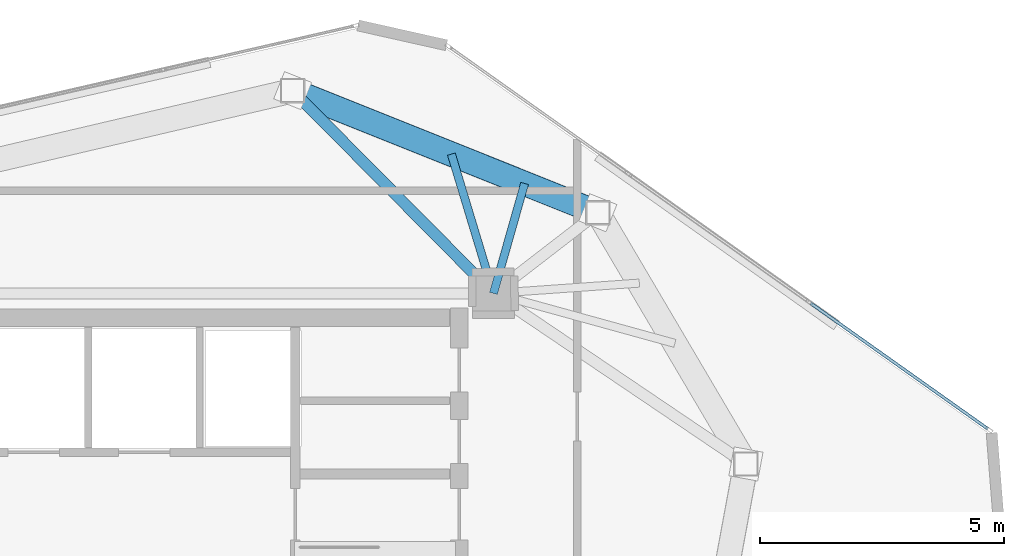
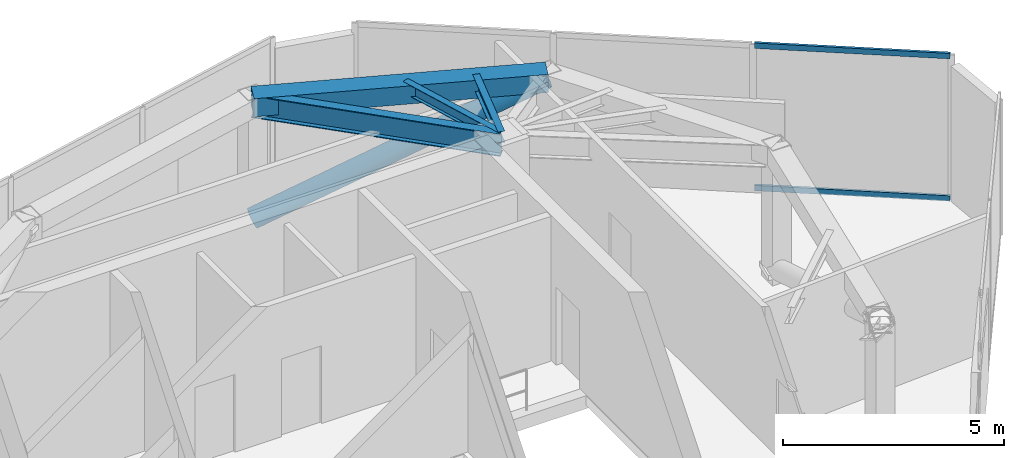
# One storey, part 14 of 20: 4 beams, 3 members, 1 element without a shape of its own.
"""IFC4 building model written with IfcOpenShell, lengths in metres."""

import ifcopenshell
import ifcopenshell.guid

model = None  # the IFC model being written
_history = None  # IfcOwnerHistory: only IFC2X3 demands one
_inside = {}  # id of a spatial element -> (the spatial element, [elements in it])
_under = {}  # id of a project, library or spatial element -> (it, [spatial elements below it])
_declared = {}  # id of a project -> (the project, [libraries it declares])
_typed = {}  # id of a type object -> (the type object, [elements of that type])
_made_of = {}  # id of a material, layer set ... -> (it, [elements and type objects made of it])


def new_model(schema):
    """Start an empty IFC model of exactly this schema.

    Asked for "IFC4X3", IfcOpenShell would pick the latest addendum, in which some entities
    have other attributes; the version numbers below select the first issue.
    IFC2X3 requires an IfcOwnerHistory on every rooted entity: one is made here for all.
    """
    global model, _history
    if schema == "IFC4X3":
        model = ifcopenshell.file(schema_version=(4, 3, 0, 0))
    else:
        model = ifcopenshell.file(schema=schema)
    _inside.clear()
    _under.clear()
    _declared.clear()
    _typed.clear()
    _made_of.clear()
    _history = None
    if model.schema == "IFC2X3":
        org = make("IfcOrganization", Name="unknown")
        user = make(
            "IfcPersonAndOrganization",
            ThePerson=make("IfcPerson", FamilyName="unknown"),
            TheOrganization=org,
        )
        app = make(
            "IfcApplication",
            ApplicationDeveloper=org,
            Version="unknown",
            ApplicationFullName="unknown",
            ApplicationIdentifier="unknown",
        )
        _history = make(
            "IfcOwnerHistory",
            OwningUser=user,
            OwningApplication=app,
            ChangeAction="ADDED",
            CreationDate=0,
        )
    return model


def make(cls, **values):
    """One entity of the class cls with the attributes given. An attribute that is None is left unset."""
    return model.create_entity(
        cls, **{name: value for name, value in values.items() if value is not None}
    )


def rooted(cls, **values):
    """An entity with a GlobalId (a new one), such as an element, a storey or a relation."""
    return make(cls, GlobalId=ifcopenshell.guid.new(), OwnerHistory=_history, **values)


def si_unit(unit_type, name, prefix=None):
    """IfcSIUnit, for example si_unit("LENGTHUNIT", "METRE", prefix="MILLI")."""
    return make("IfcSIUnit", UnitType=unit_type, Prefix=prefix, Name=name)


def assignment(units):
    """IfcUnitAssignment: the units of a project."""
    return None if units is None else make("IfcUnitAssignment", Units=units)


def point(xyz):
    """IfcCartesianPoint."""
    return None if xyz is None else make("IfcCartesianPoint", Coordinates=xyz)


def direction(xyz):
    """IfcDirection."""
    return None if xyz is None else make("IfcDirection", DirectionRatios=xyz)


def frame(location, z_axis=None, x_axis=None):
    """IfcAxis2Placement3D, a coordinate frame: its origin and axes. An axis left out is left unset."""
    return make(
        "IfcAxis2Placement3D",
        Location=point(location),
        Axis=direction(z_axis),
        RefDirection=direction(x_axis),
    )


def frame_2d(location, x_axis=None):
    """IfcAxis2Placement2D, a coordinate frame in the plane: its origin and x axis."""
    return make(
        "IfcAxis2Placement2D", Location=point(location), RefDirection=direction(x_axis)
    )


def origin():
    """The frame at (0, 0, 0) with its axes left unset."""
    return frame((0.0, 0.0, 0.0))


def origin_2d():
    """The frame at (0, 0) in the plane with its x axis left unset."""
    return frame_2d((0.0, 0.0))


def place(relative_to, where):
    """IfcLocalPlacement: puts the frame where relative to a parent placement (None: the world)."""
    return make(
        "IfcLocalPlacement", PlacementRelTo=relative_to, RelativePlacement=where
    )


def context(
    kind, dimensions, precision=None, world=None, true_north=None, identifier=None
):
    """IfcGeometricRepresentationContext, for example the 3D "Model" context."""
    return make(
        "IfcGeometricRepresentationContext",
        ContextIdentifier=identifier,
        ContextType=kind,
        CoordinateSpaceDimension=dimensions,
        Precision=precision,
        WorldCoordinateSystem=world,
        TrueNorth=true_north,
    )


def subcontext(parent, identifier, kind, view, scale=None):
    """IfcGeometricRepresentationSubContext, for example "Body" below "Model"."""
    return make(
        "IfcGeometricRepresentationSubContext",
        ContextIdentifier=identifier,
        ContextType=kind,
        ParentContext=parent,
        TargetScale=scale,
        TargetView=view,
    )


def project(units=None, contexts=None):
    """IfcProject with its units and contexts."""
    return rooted(
        "IfcProject",
        Name="project",
        RepresentationContexts=contexts,
        UnitsInContext=assignment(units),
    )


def spatial(cls, under=None, at=None, **own):
    """A site, building, storey or space (cls), placed at a placement, below another one or the project."""
    s = rooted(cls, ObjectPlacement=at, **own)
    if under is not None:
        _under.setdefault(under.id(), (under, []))[1].append(s)
    return s


def profile(cls, at=None, kind="AREA", **sizes):
    """A parametric profile (cls). Its sizes go by their IFC names, for example OverallWidth=200.0."""
    return make(cls, ProfileType=kind, Position=at, **sizes)


def hollow_rectangle(**sizes):
    """IfcRectangleHollowProfileDef."""
    return profile("IfcRectangleHollowProfileDef", **sizes)


def hollow_circle(**sizes):
    """IfcCircleHollowProfileDef."""
    return profile("IfcCircleHollowProfileDef", **sizes)


def i_section(**sizes):
    """IfcIShapeProfileDef."""
    return profile("IfcIShapeProfileDef", **sizes)


def extrude(swept, where, along, depth):
    """IfcExtrudedAreaSolid: the profile swept, set in the frame where, extruded along a direction by depth."""
    return make(
        "IfcExtrudedAreaSolid",
        SweptArea=swept,
        Position=where,
        ExtrudedDirection=direction(along),
        Depth=depth,
    )


def shape(context_of_items, identifier, shape_type, items):
    """IfcShapeRepresentation: the items that make up one representation, for example the "Body"."""
    return make(
        "IfcShapeRepresentation",
        ContextOfItems=context_of_items,
        RepresentationIdentifier=identifier,
        RepresentationType=shape_type,
        Items=items,
    )


def source(mapping_origin, context_of_items, identifier, shape_type, items):
    """IfcRepresentationMap: a shape defined once, which mapped items show again and again."""
    return make(
        "IfcRepresentationMap",
        MappingOrigin=mapping_origin,
        MappedRepresentation=shape(context_of_items, identifier, shape_type, items),
    )


def transform(
    local_origin,
    x_axis=None,
    y_axis=None,
    z_axis=None,
    scale=None,
    scale2=None,
    scale3=None,
    uniform=True,
):
    """IfcCartesianTransformationOperator3D, or its non-uniform kind. x_axis, y_axis, z_axis: its Axis1, 2, 3."""
    if uniform:
        return make(
            "IfcCartesianTransformationOperator3D",
            Axis1=direction(x_axis),
            Axis2=direction(y_axis),
            LocalOrigin=point(local_origin),
            Scale=scale,
            Axis3=direction(z_axis),
        )
    return make(
        "IfcCartesianTransformationOperator3DnonUniform",
        Axis1=direction(x_axis),
        Axis2=direction(y_axis),
        LocalOrigin=point(local_origin),
        Scale=scale,
        Axis3=direction(z_axis),
        Scale2=scale2,
        Scale3=scale3,
    )


def mapped(mapping_source, mapping_target):
    """IfcMappedItem: shows the shape of a source again, moved by a transform."""
    return make(
        "IfcMappedItem", MappingSource=mapping_source, MappingTarget=mapping_target
    )


def material(Name=None, Category=None):
    """IfcMaterial."""
    return make("IfcMaterial", Name=Name, Category=Category)


def layer(
    of_material, thickness, ventilated=None, Name=None, Category=None, Priority=None
):
    """IfcMaterialLayer: one layer of a wall or slab, of a material (None: an air gap)."""
    return make(
        "IfcMaterialLayer",
        Material=of_material,
        LayerThickness=thickness,
        IsVentilated=ventilated,
        Name=Name,
        Category=Category,
        Priority=Priority,
    )


def layer_set(layers, Name=None):
    """IfcMaterialLayerSet."""
    return make("IfcMaterialLayerSet", MaterialLayers=layers, LayerSetName=Name)


def material_profile(
    of_material, cross_section, Name=None, Category=None, Priority=None
):
    """IfcMaterialProfile: a cross section and its material."""
    return make(
        "IfcMaterialProfile",
        Name=Name,
        Material=of_material,
        Profile=cross_section,
        Priority=Priority,
        Category=Category,
    )


def profile_set(profiles, Name=None, composite=None):
    """IfcMaterialProfileSet."""
    return make(
        "IfcMaterialProfileSet",
        Name=Name,
        MaterialProfiles=profiles,
        CompositeProfile=composite,
    )


def made_of(thing, what):
    """Note that an element or type object is made of a material, layer set ...; save() writes the relation."""
    if what is not None:
        _made_of.setdefault(what.id(), (what, []))[1].append(thing)
    return thing


def type_object(cls, material=None, **own):
    """A type object (cls), such as IfcWallType, which elements share."""
    return made_of(rooted(cls, **own), material)


def type_shapes(of_type, sources):
    """Give a type object the sources (RepresentationMaps) that its elements show as mapped items."""
    of_type.RepresentationMaps = sources


def element(
    cls,
    number,
    at=None,
    inside=None,
    cuts=None,
    type_object=None,
    material=None,
    context=None,
    identifier="Body",
    shape_type=None,
    held_by="IfcProductDefinitionShape",
    body=None,
    shapes=None,
    **own,
):
    """One element of the class cls, such as IfcWall. Its Tag is "e" and its number.

    at: its placement. inside: the storey or other place that contains it. cuts: it is an
    opening in that element (IfcRelVoidsElement). A single representation is given by context,
    identifier, shape_type and body (its items); several are given by shapes. held_by: the class
    of the entity that holds the representations. save() writes the other relations.
    """
    e = rooted(cls, Tag="e%d" % number, ObjectPlacement=at, **own)
    if body is not None:
        shapes = [shape(context, identifier, shape_type, body)]
    if shapes is not None:
        e.Representation = make(held_by, Representations=shapes)
    if inside is not None:
        _inside.setdefault(inside.id(), (inside, []))[1].append(e)
    if cuts is not None:
        rooted(
            "IfcRelVoidsElement", RelatingBuildingElement=cuts, RelatedOpeningElement=e
        )
    if type_object is not None:
        _typed.setdefault(type_object.id(), (type_object, []))[1].append(e)
    return made_of(e, material)


def aggregate(whole, parts):
    """IfcRelAggregates: a whole, such as a stair, and the parts it consists of."""
    return rooted("IfcRelAggregates", RelatingObject=whole, RelatedObjects=parts)


def save(model, path):
    """Write the relations noted so far, then the file.

    IfcRelAggregates (storeys below a building ...), IfcRelContainedInSpatialStructure (elements
    in a storey), IfcRelDefinesByType, IfcRelAssociatesMaterial and IfcRelDeclares: one each for
    every whole, place, type object, material and project.
    """
    for whole, parts in _under.values():
        aggregate(whole, parts)
    for where, things in _inside.values():
        rooted(
            "IfcRelContainedInSpatialStructure",
            RelatedElements=things,
            RelatingStructure=where,
        )
    for kind, things in _typed.values():
        rooted("IfcRelDefinesByType", RelatedObjects=things, RelatingType=kind)
    for what, things in _made_of.values():
        rooted("IfcRelAssociatesMaterial", RelatedObjects=things, RelatingMaterial=what)
    for by, libraries in _declared.values():
        rooted("IfcRelDeclares", RelatingContext=by, RelatedDefinitions=libraries)
    model.write(path)


model = new_model("IFC4")

# Units and contexts
model_context = context("Model", 3, precision=1e-05, world=origin(), true_north=direction((0.0, 1.0)))
body_context = subcontext(model_context, "Body", "Model", "MODEL_VIEW")
ifc_project = project(units=[si_unit("LENGTHUNIT", "METRE"), si_unit("AREAUNIT", "SQUARE_METRE"), si_unit("VOLUMEUNIT", "CUBIC_METRE"), si_unit("PLANEANGLEUNIT", "RADIAN"), si_unit("MASSUNIT", "GRAM", prefix="KILO")], contexts=[model_context])

# Site, building, storey
site_placement = place(None, origin())
site = spatial("IfcSite", under=ifc_project, at=site_placement, CompositionType="ELEMENT")
building_placement = place(site_placement, origin())
building = spatial("IfcBuilding", under=site, at=building_placement, Name="Talar Marvaseh", CompositionType="ELEMENT")
storey_placement = place(building_placement, frame((0.0, 0.0, 312.0)))
storey = spatial("IfcBuildingStorey", under=building, at=storey_placement, Name="L83", CompositionType="ELEMENT", Elevation=312.0)

# Beams
ifc_material_1 = material(Name="Steel S460", Category="steel")
ifc_material_profile_1 = material_profile(ifc_material_1, hollow_rectangle(XDim=0.5, YDim=0.5, WallThickness=0.02490234375, at=origin_2d()), Name="BOX500x500x25")
ifc_profile_set_1 = profile_set([ifc_material_profile_1], Name="Steel S460")
beam_type_1 = type_object("IfcBeamType", Name="Crown Frame Top Ring Beam BOX500x500x25", PredefinedType="BEAM", material=ifc_profile_set_1)
beam_1_placement = place(storey_placement, frame((29.18798828125, 41.052001953125, 3.47509765625), z_axis=(0.928426659475, -0.371515730456, 0.0), x_axis=(0.371515730456, 0.928426659475, 0.0)))
element("IfcBeam", 1, at=beam_1_placement, inside=storey, type_object=beam_type_1, Name="L83 Crown Frame Top Ring Beam BOX500x500x25", PredefinedType="BEAM", context=body_context, shape_type="SweptSolid", body=[
    extrude(hollow_rectangle(XDim=0.5, YDim=0.5, WallThickness=0.02490234375, at=origin_2d()), origin(), (0.0, 0.0, 1.0), 6.73193359375),
])
ifc_material_2 = material(Name="Steel S355", Category="steel")
ifc_material_profile_2 = material_profile(ifc_material_2, i_section(OverallWidth=0.166015625, OverallDepth=0.31298828125, WebThickness=0.006591796875, FlangeThickness=0.01123046875, at=origin_2d()), Name="W310x45")
ifc_profile_set_2 = profile_set([ifc_material_profile_2], Name="Steel S355")
beam_type_2 = type_object("IfcBeamType", Name="Zone 3 Secondary Floor Joist W310x45", PredefinedType="JOIST", material=ifc_profile_set_2)
beam_2_placement = place(storey_placement, frame((32.43798828125, 39.75146484375, 3.568603515625), z_axis=(0.289377277289, -0.957215122837, 0.0), x_axis=(0.957215122837, 0.289377277289, 0.0)))
element("IfcBeam", 2, at=beam_2_placement, inside=storey, type_object=beam_type_2, Name="L83 Zone 3 Secondary Floor Joist W310x45", PredefinedType="JOIST", context=body_context, shape_type="SweptSolid", body=[
    extrude(i_section(OverallWidth=0.166015625, OverallDepth=0.31298828125, WebThickness=0.006591796875, FlangeThickness=0.01123046875, at=origin_2d()), origin(), (0.0, 0.0, 1.0), 2.97900390625),
])
beam_3_placement = place(storey_placement, frame((33.93798828125, 39.151123046875, 3.568603515625), z_axis=(-0.272639596879, -0.962116235293, 0.0), x_axis=(0.962116235293, -0.272639596879, 0.0)))
element("IfcBeam", 3, at=beam_3_placement, inside=storey, type_object=beam_type_2, Name="L83 Zone 3 Secondary Floor Joist W310x45", PredefinedType="JOIST", context=body_context, shape_type="SweptSolid", body=[
    extrude(i_section(OverallWidth=0.166015625, OverallDepth=0.31298828125, WebThickness=0.006591796875, FlangeThickness=0.01123046875, at=origin_2d()), origin(), (0.0, 0.0, 1.0), 2.33984375),
])
ifc_material_profile_3 = material_profile(ifc_material_2, i_section(OverallWidth=0.22998046875, OverallDepth=0.616943359375, WebThickness=0.01318359375, FlangeThickness=0.022216796875, at=origin_2d()), Name="W610x140")
ifc_profile_set_3 = profile_set([ifc_material_profile_3], Name="Steel S355")
beam_type_3 = type_object("IfcBeamType", Name="Zone 4 Radial Floor Girder W610x140", PredefinedType="BEAM", material=ifc_profile_set_3)
beam_4_placement = place(storey_placement, frame((29.18798828125, 41.052001953125, 3.41650390625), z_axis=(0.703672658083, -0.710524306598, 0.0), x_axis=(0.710524306598, 0.703672658083, 0.0)))
element("IfcBeam", 4, at=beam_4_placement, inside=storey, type_object=beam_type_3, Name="L83 Zone 4 Radial Floor Girder W610x140", PredefinedType="BEAM", context=body_context, shape_type="SweptSolid", body=[
    extrude(i_section(OverallWidth=0.22998046875, OverallDepth=0.616943359375, WebThickness=0.01318359375, FlangeThickness=0.022216796875, at=origin_2d()), origin(), (0.0, 0.0, 1.0), 5.84375),
])

# Member
ifc_material_profile_4 = material_profile(ifc_material_1, hollow_circle(Radius=0.25390625, WallThickness=0.02001953125, at=origin_2d()), Name="CHS508x20")
ifc_profile_set_4 = profile_set([ifc_material_profile_4], Name="Steel S460")
member_type_1 = type_object("IfcMemberType", Name="Crown Frame Diagonal Brace CHS508x20", PredefinedType="BRACE", material=ifc_profile_set_4)
shared_shape_1 = source(origin(), body_context, "Body", "SweptSolid", [
    extrude(hollow_circle(Radius=0.25390625, WallThickness=0.02001953125, at=origin_2d()), origin(), (0.0, 0.0, 1.0), 7.464599609375),
])
type_shapes(member_type_1, [shared_shape_1])
member_1_placement = place(storey_placement, frame((29.18798828125, 41.052001953125, 0.25), z_axis=(0.837297450532, -0.33504980794, 0.432058567247), x_axis=(0.371515730456, 0.928426659475, 0.0)))
element("IfcMember", 5, at=member_1_placement, inside=storey, type_object=member_type_1, Name="L83 Crown Frame Diagonal Brace 5", PredefinedType="BRACE", context=body_context, shape_type="MappedRepresentation", body=[
    mapped(shared_shape_1, transform((0.0, 0.0, 0.0), x_axis=(1.0, 0.0, 0.0), y_axis=(0.0, 1.0, 0.0), z_axis=(0.0, 0.0, 1.0), scale=1.0)),
])

# Curtain wall, members
ifc_material_3 = material(Name="Architectural Aluminium", Category="aluminium")
ifc_layer = layer(ifc_material_3, 0.2099609375)
ifc_layer_set = layer_set([ifc_layer], Name="Architectural Aluminium")
curtain_wall_type = type_object("IfcCurtainWallType", Name="Crown Plant Acoustic Spandrel Curtain Wall", PredefinedType="NOTDEFINED", material=ifc_layer_set)
curtain_wall_placement = place(storey_placement, origin())
curtain_wall = element("IfcCurtainWall", 6, at=curtain_wall_placement, inside=storey, type_object=curtain_wall_type, Name="L83 Crown Plant Acoustic Spandrel Curtain Wall", PredefinedType="NOTDEFINED")
ifc_material_profile_5 = material_profile(ifc_material_3, hollow_rectangle(XDim=0.06494140625, YDim=0.14990234375, WallThickness=0.00390625, at=origin_2d()), Name="RHS150x65x4")
ifc_profile_set_5 = profile_set([ifc_material_profile_5], Name="Architectural Aluminium")
member_type_2 = type_object("IfcMemberType", Name="Unitised Curtain Wall Slim Transom RHS150x65x4", PredefinedType="USERDEFINED", material=ifc_profile_set_5)
shared_shape_2 = source(origin(), body_context, "Body", "SweptSolid", [
    extrude(hollow_rectangle(XDim=0.06494140625, YDim=0.14990234375, WallThickness=0.00390625, at=origin_2d()), origin(), (0.0, 0.0, 1.0), 4.447265625),
])
type_shapes(member_type_2, [shared_shape_2])
member_2_placement = place(storey_placement, frame((39.798583984375, 36.6962890625, 0.032470703125), z_axis=(0.815672602839, -0.578513789791, 0.0), x_axis=(0.578513789791, 0.815672602839, 0.0)))
member_2 = element("IfcMember", 7, at=member_2_placement, type_object=member_type_2, Name="CW-CRN transom 3.1", ObjectType="TRANSOM", PredefinedType="USERDEFINED", context=body_context, shape_type="MappedRepresentation", body=[
    mapped(shared_shape_2, transform((0.0, 0.0, 0.0), x_axis=(1.0, 0.0, 0.0), y_axis=(0.0, 1.0, 0.0), z_axis=(0.0, 0.0, 1.0), scale=1.0)),
])
member_3_placement = place(storey_placement, frame((39.798583984375, 36.6962890625, 3.967529296875), z_axis=(0.815672602839, -0.578513789791, 0.0), x_axis=(0.578513789791, 0.815672602839, 0.0)))
member_3 = element("IfcMember", 8, at=member_3_placement, type_object=member_type_2, Name="CW-CRN transom 3.2", ObjectType="TRANSOM", PredefinedType="USERDEFINED", context=body_context, shape_type="MappedRepresentation", body=[
    mapped(shared_shape_2, transform((0.0, 0.0, 0.0), x_axis=(1.0, 0.0, 0.0), y_axis=(0.0, 1.0, 0.0), z_axis=(0.0, 0.0, 1.0), scale=1.0)),
])
aggregate(curtain_wall, [member_2, member_3])

save(model, "model.ifc")
